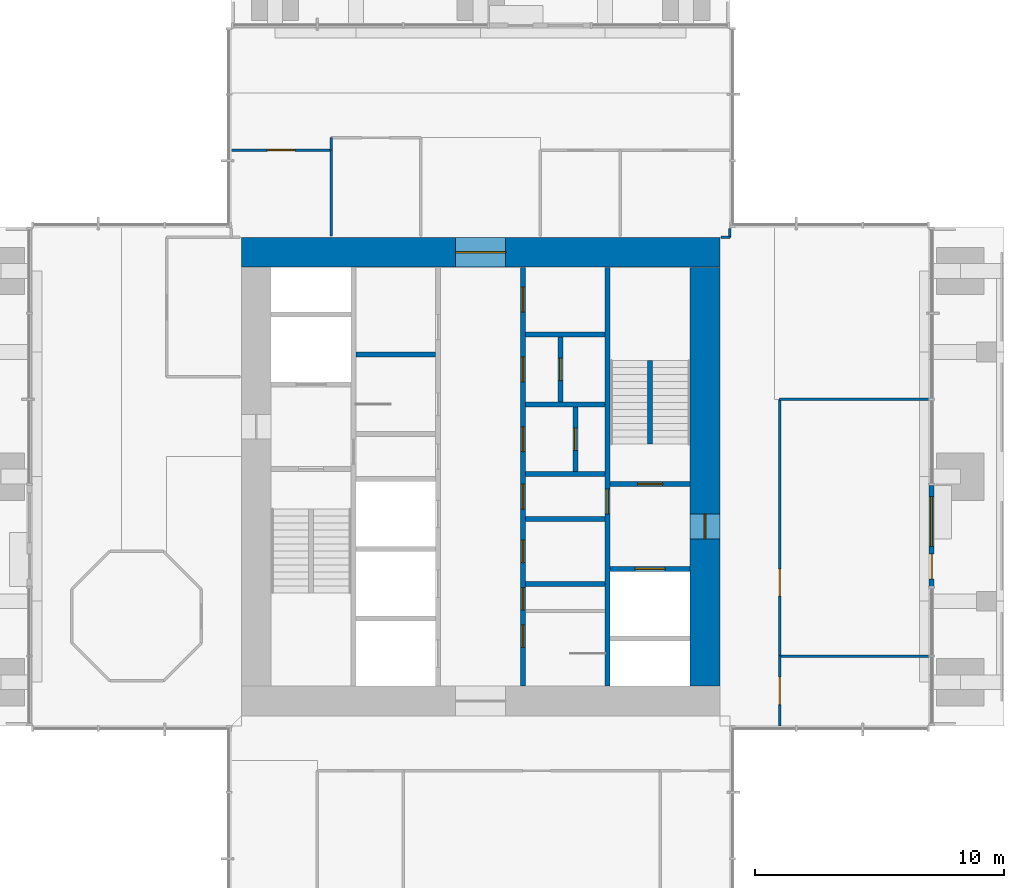
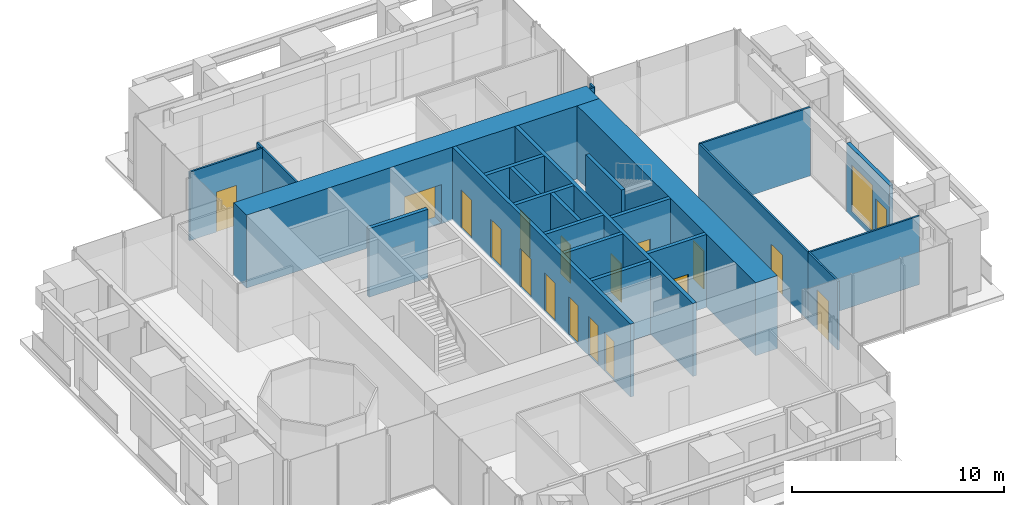
# One storey, part 8 of 12: 25 walls, 18 doors, 1 window, 19 openings.
"""IFC4 building model written with IfcOpenShell, lengths in metres."""

from ifc_helpers import new_model, si_unit, direction, frame, frame_2d, origin, place, context, subcontext, project, spatial, rectangle, extrude, material, layer, layer_set, type_object, element, fill, save


model = new_model("IFC4")

# Units and contexts
model_context = context("Model", 3, precision=1e-05, world=origin(), true_north=direction((0.0, 1.0)))
body_context = subcontext(model_context, "Body", "Model", "MODEL_VIEW")
ifc_project = project(units=[si_unit("LENGTHUNIT", "METRE"), si_unit("AREAUNIT", "SQUARE_METRE"), si_unit("VOLUMEUNIT", "CUBIC_METRE"), si_unit("PLANEANGLEUNIT", "RADIAN"), si_unit("MASSUNIT", "GRAM", prefix="KILO")], contexts=[model_context])

# Site, building, storey
site_placement = place(None, origin())
site = spatial("IfcSite", under=ifc_project, at=site_placement, CompositionType="ELEMENT")
building_placement = place(site_placement, origin())
building = spatial("IfcBuilding", under=site, at=building_placement, Name="Svetlomir Tower", CompositionType="ELEMENT")
storey_placement = place(building_placement, frame((0.0, 0.0, 269.199951171875)))
storey = spatial("IfcBuildingStorey", under=building, at=storey_placement, Name="L64", CompositionType="ELEMENT", Elevation=269.199951171875)

# Wall
ifc_material_1 = material(Name="Gypsum board on twin steel studs", Category="steel")
ifc_layer_1 = layer(ifc_material_1, 0.199951171875)
ifc_layer_set_1 = layer_set([ifc_layer_1], Name="Gypsum board on twin steel studs")
wall_type_1 = type_object("IfcWallType", Name="ACOUSTIC PARTITION 200", PredefinedType="PARTITIONING", material=ifc_layer_set_1)
wall_1_placement = place(storey_placement, frame((16.0, 25.89990234375, 0.0), z_axis=(0.0, 0.0, 1.0), x_axis=(1.0, 0.0, 0.0)))
element("IfcWall", 1, at=wall_1_placement, inside=storey, type_object=wall_type_1, Name="Core cell partition 16-19.2/25.9 L64", PredefinedType="PARTITIONING", context=body_context, shape_type="SweptSolid", body=[
    extrude(rectangle(XDim=3.199951171875, YDim=0.199951171875, at=frame_2d((1.60009765625, 0.0))), origin(), (0.0, 0.0, 1.0), 3.949951171875),
])

# Wall, openings, door, window
ifc_material_2 = material(Name="Bronze anodised aluminium glazed screen", Category="aluminium")
ifc_layer_2 = layer(ifc_material_2, 0.199951171875)
ifc_layer_set_2 = layer_set([ifc_layer_2], Name="Bronze anodised aluminium glazed screen")
wall_type_2 = type_object("IfcWallType", Name="BALCONY SCREEN WALL 200", PredefinedType="USERDEFINED", material=ifc_layer_set_2)
wall_2_placement = place(storey_placement, frame((39.10009765625, 16.60009765625, 0.0), z_axis=(0.0, 0.0, 1.0), x_axis=(0.0, 1.0, 0.0)))
wall_2 = element("IfcWall", 2, at=wall_2_placement, inside=storey, type_object=wall_type_2, Name="Balcony screen E", ObjectType="GLAZED SCREEN", PredefinedType="USERDEFINED", context=body_context, shape_type="SweptSolid", body=[
    extrude(rectangle(XDim=4.0498046875, YDim=0.199951171875, at=frame_2d((2.02490234375, 0.0))), origin(), (0.0, 0.0, 1.0), 3.949951171875),
])
opening_1_placement = place(wall_2_placement, frame((0.300048828125, 0.0, 0.0)))
opening_1 = element("IfcOpeningElement", 3, at=opening_1_placement, cuts=wall_2, Name="Opening BD", PredefinedType="OPENING", context=body_context, shape_type="SweptSolid", body=[
    extrude(rectangle(XDim=1.0, YDim=2.39990234375, at=frame_2d((0.5, 1.199951171875))), frame((0.0, 0.10986328125, 0.0), z_axis=(0.0, -1.0, 0.0), x_axis=(1.0, 0.0, 0.0)), (0.0, 0.0, 1.0), 0.219970703125),
])
opening_2_placement = place(wall_2_placement, frame((1.60009765625, 0.0, 0.300048828125)))
opening_2 = element("IfcOpeningElement", 4, at=opening_2_placement, cuts=wall_2, Name="Opening WS", PredefinedType="OPENING", context=body_context, shape_type="SweptSolid", body=[
    extrude(rectangle(XDim=2.0, YDim=2.699951171875, at=frame_2d((1.0, 1.35009765625))), frame((0.0, 0.10986328125, 0.0), z_axis=(0.0, -1.0, 0.0), x_axis=(1.0, 0.0, 0.0)), (0.0, 0.0, 1.0), 0.219970703125),
])
ifc_material_3 = material(Name="Bronze anodised aluminium glazed door", Category="aluminium")
door_type_1 = type_object("IfcDoorType", Name="BALCONY DOOR BD 1000x2400", OperationType="SINGLE_SWING_LEFT", PredefinedType="DOOR", material=ifc_material_3)
door_1_placement = place(opening_1_placement, origin())
door_1 = element("IfcDoor", 5, at=door_1_placement, inside=storey, type_object=door_type_1, Name="Balcony screen E door", OperationType="SINGLE_SWING_LEFT", OverallHeight=2.39990234375, OverallWidth=1.0, PredefinedType="DOOR", context=body_context, shape_type="SweptSolid", body=[
    extrude(rectangle(XDim=1.0, YDim=2.39990234375, at=frame_2d((0.5, 1.199951171875))), frame((0.0, 0.02490234375, 0.0), z_axis=(0.0, -1.0, 0.0), x_axis=(1.0, 0.0, 0.0)), (0.0, 0.0, 1.0), 0.050048828125),
])
fill(opening_1, door_1)
ifc_material_4 = material(Name="Bronze anodised aluminium window", Category="aluminium")
window_type = type_object("IfcWindowType", Name="SCREEN WINDOW WS 2000x2700", PartitioningType="SINGLE_PANEL", PredefinedType="WINDOW", material=ifc_material_4)
window_placement = place(opening_2_placement, origin())
window = element("IfcWindow", 6, at=window_placement, inside=storey, type_object=window_type, Name="Balcony screen E window 1", OverallHeight=2.699951171875, OverallWidth=2.0, PartitioningType="SINGLE_PANEL", PredefinedType="WINDOW", context=body_context, shape_type="SweptSolid", body=[
    extrude(rectangle(XDim=2.0, YDim=2.699951171875, at=frame_2d((1.0, 1.35009765625))), frame((0.0, 0.030029296875, 0.0), z_axis=(0.0, -1.0, 0.0), x_axis=(1.0, 0.0, 0.0)), (0.0, 0.0, 1.0), 0.06005859375),
])
fill(opening_2, window)

# Wall, openings, doors
ifc_material_5 = material(Name="Concrete C60/75", Category="concrete")
ifc_layer_3 = layer(ifc_material_5, 0.199951171875)
ifc_layer_set_3 = layer_set([ifc_layer_3], Name="Concrete C60/75")
wall_type_3 = type_object("IfcWallType", Name="CORE INNER WALL 200", PredefinedType="SHEAR", material=ifc_layer_set_3)
wall_3_placement = place(storey_placement, frame((22.699951171875, 12.60009765625, -0.050048828125), z_axis=(0.0, 0.0, 1.0), x_axis=(0.0, 1.0, 0.0)))
wall_3 = element("IfcWall", 7, at=wall_3_placement, inside=storey, type_object=wall_type_3, Name="Core inner wall 22.7 L64", PredefinedType="SHEAR", context=body_context, shape_type="SweptSolid", body=[
    extrude(rectangle(XDim=16.7998046875, YDim=0.199951171875, at=frame_2d((8.39990234375, 0.0))), origin(), (0.0, 0.0, 1.0), 4.2001953125),
])
opening_3_placement = place(wall_3_placement, frame((3.050048828125, 0.0, 0.050048828125)))
opening_3 = element("IfcOpeningElement", 8, at=opening_3_placement, cuts=wall_3, Name="Opening DW", PredefinedType="OPENING", context=body_context, shape_type="SweptSolid", body=[
    extrude(rectangle(XDim=0.89990234375, YDim=2.199951171875, at=frame_2d((0.449951171875, 1.10009765625))), frame((0.0, 0.10986328125, 0.0), z_axis=(0.0, -1.0, 0.0), x_axis=(1.0, 0.0, 0.0)), (0.0, 0.0, 1.0), 0.219970703125),
])
opening_4_placement = place(wall_3_placement, frame((7.10009765625, 0.0, 0.050048828125)))
opening_4 = element("IfcOpeningElement", 9, at=opening_4_placement, cuts=wall_3, Name="Opening DC", PredefinedType="OPENING", context=body_context, shape_type="SweptSolid", body=[
    extrude(rectangle(XDim=1.0, YDim=2.199951171875, at=frame_2d((0.5, 1.10009765625))), frame((0.0, 0.10986328125, 0.0), z_axis=(0.0, -1.0, 0.0), x_axis=(1.0, 0.0, 0.0)), (0.0, 0.0, 1.0), 0.219970703125),
])
opening_5_placement = place(wall_3_placement, frame((1.550048828125, 0.0, 0.050048828125)))
opening_5 = element("IfcOpeningElement", 10, at=opening_5_placement, cuts=wall_3, Name="Opening DW", PredefinedType="OPENING", context=body_context, shape_type="SweptSolid", body=[
    extrude(rectangle(XDim=0.89990234375, YDim=2.199951171875, at=frame_2d((0.449951171875, 1.10009765625))), frame((0.0, 0.10986328125, 0.0), z_axis=(0.0, -1.0, 0.0), x_axis=(1.0, 0.0, 0.0)), (0.0, 0.0, 1.0), 0.219970703125),
])
opening_6_placement = place(wall_3_placement, frame((4.949951171875, 0.0, 0.050048828125)))
opening_6 = element("IfcOpeningElement", 11, at=opening_6_placement, cuts=wall_3, Name="Opening DW", PredefinedType="OPENING", context=body_context, shape_type="SweptSolid", body=[
    extrude(rectangle(XDim=0.89990234375, YDim=2.199951171875, at=frame_2d((0.449951171875, 1.10009765625))), frame((0.0, 0.10986328125, 0.0), z_axis=(0.0, -1.0, 0.0), x_axis=(1.0, 0.0, 0.0)), (0.0, 0.0, 1.0), 0.219970703125),
])
opening_7_placement = place(wall_3_placement, frame((9.39990234375, 0.0, 0.050048828125)))
opening_7 = element("IfcOpeningElement", 12, at=opening_7_placement, cuts=wall_3, Name="Opening DC", PredefinedType="OPENING", context=body_context, shape_type="SweptSolid", body=[
    extrude(rectangle(XDim=1.0, YDim=2.199951171875, at=frame_2d((0.5, 1.10009765625))), frame((0.0, 0.10986328125, 0.0), z_axis=(0.0, -1.0, 0.0), x_axis=(1.0, 0.0, 0.0)), (0.0, 0.0, 1.0), 0.219970703125),
])
opening_8_placement = place(wall_3_placement, frame((12.199951171875, 0.0, 0.050048828125)))
opening_8 = element("IfcOpeningElement", 13, at=opening_8_placement, cuts=wall_3, Name="Opening DC", PredefinedType="OPENING", context=body_context, shape_type="SweptSolid", body=[
    extrude(rectangle(XDim=1.0, YDim=2.199951171875, at=frame_2d((0.5, 1.10009765625))), frame((0.0, 0.10986328125, 0.0), z_axis=(0.0, -1.0, 0.0), x_axis=(1.0, 0.0, 0.0)), (0.0, 0.0, 1.0), 0.219970703125),
])
opening_9_placement = place(wall_3_placement, frame((15.0, 0.0, 0.050048828125)))
opening_9 = element("IfcOpeningElement", 14, at=opening_9_placement, cuts=wall_3, Name="Opening DC", PredefinedType="OPENING", context=body_context, shape_type="SweptSolid", body=[
    extrude(rectangle(XDim=1.0, YDim=2.199951171875, at=frame_2d((0.5, 1.10009765625))), frame((0.0, 0.10986328125, 0.0), z_axis=(0.0, -1.0, 0.0), x_axis=(1.0, 0.0, 0.0)), (0.0, 0.0, 1.0), 0.219970703125),
])
ifc_material_6 = material(Name="Timber fire door", Category="wood")
door_type_2 = type_object("IfcDoorType", Name="DOOR DC 1000x2200", OperationType="SINGLE_SWING_LEFT", PredefinedType="DOOR", material=ifc_material_6)
door_2_placement = place(opening_4_placement, origin())
door_2 = element("IfcDoor", 15, at=door_2_placement, inside=storey, type_object=door_type_2, Name="Core corridor east lobby door L64", OperationType="SINGLE_SWING_LEFT", OverallHeight=2.199951171875, OverallWidth=1.0, PredefinedType="DOOR", context=body_context, shape_type="SweptSolid", body=[
    extrude(rectangle(XDim=1.0, YDim=2.199951171875, at=frame_2d((0.5, 1.10009765625))), frame((0.0, 0.02490234375, 0.0), z_axis=(0.0, -1.0, 0.0), x_axis=(1.0, 0.0, 0.0)), (0.0, 0.0, 1.0), 0.050048828125),
])
fill(opening_4, door_2)
door_3_placement = place(opening_7_placement, origin())
door_3 = element("IfcDoor", 16, at=door_3_placement, inside=storey, type_object=door_type_2, Name="Converted shaft BANK-E1 room door L64", OperationType="SINGLE_SWING_RIGHT", OverallHeight=2.199951171875, OverallWidth=1.0, PredefinedType="DOOR", context=body_context, shape_type="SweptSolid", body=[
    extrude(rectangle(XDim=1.0, YDim=2.199951171875, at=frame_2d((0.5, 1.10009765625))), frame((0.0, 0.02490234375, 0.0), z_axis=(0.0, -1.0, 0.0), x_axis=(1.0, 0.0, 0.0)), (0.0, 0.0, 1.0), 0.050048828125),
])
fill(opening_7, door_3)
door_4_placement = place(opening_8_placement, origin())
door_4 = element("IfcDoor", 17, at=door_4_placement, inside=storey, type_object=door_type_2, Name="Converted shaft BANK-E2 room door L64", OperationType="SINGLE_SWING_RIGHT", OverallHeight=2.199951171875, OverallWidth=1.0, PredefinedType="DOOR", context=body_context, shape_type="SweptSolid", body=[
    extrude(rectangle(XDim=1.0, YDim=2.199951171875, at=frame_2d((0.5, 1.10009765625))), frame((0.0, 0.02490234375, 0.0), z_axis=(0.0, -1.0, 0.0), x_axis=(1.0, 0.0, 0.0)), (0.0, 0.0, 1.0), 0.050048828125),
])
fill(opening_8, door_4)
door_5_placement = place(opening_9_placement, origin())
door_5 = element("IfcDoor", 18, at=door_5_placement, inside=storey, type_object=door_type_2, Name="Converted shaft BANK-E3 room door L64", OperationType="SINGLE_SWING_RIGHT", OverallHeight=2.199951171875, OverallWidth=1.0, PredefinedType="DOOR", context=body_context, shape_type="SweptSolid", body=[
    extrude(rectangle(XDim=1.0, YDim=2.199951171875, at=frame_2d((0.5, 1.10009765625))), frame((0.0, 0.02490234375, 0.0), z_axis=(0.0, -1.0, 0.0), x_axis=(1.0, 0.0, 0.0)), (0.0, 0.0, 1.0), 0.050048828125),
])
fill(opening_9, door_5)
ifc_material_7 = material(Name="Timber fire door", Category="wood")
door_type_3 = type_object("IfcDoorType", Name="DOOR DW 900x2200", OperationType="SINGLE_SWING_LEFT", PredefinedType="DOOR", material=ifc_material_7)
door_6_placement = place(opening_3_placement, origin())
door_6 = element("IfcDoor", 19, at=door_6_placement, inside=storey, type_object=door_type_3, Name="Shower and changing room door L64", OperationType="SINGLE_SWING_LEFT", OverallHeight=2.199951171875, OverallWidth=0.89990234375, PredefinedType="DOOR", context=body_context, shape_type="SweptSolid", body=[
    extrude(rectangle(XDim=0.89990234375, YDim=2.199951171875, at=frame_2d((0.449951171875, 1.10009765625))), frame((0.0, 0.02490234375, 0.0), z_axis=(0.0, -1.0, 0.0), x_axis=(1.0, 0.0, 0.0)), (0.0, 0.0, 1.0), 0.050048828125),
])
fill(opening_3, door_6)
door_7_placement = place(opening_5_placement, origin())
door_7 = element("IfcDoor", 20, at=door_7_placement, inside=storey, type_object=door_type_3, Name="Male WC door L64", OperationType="SINGLE_SWING_RIGHT", OverallHeight=2.199951171875, OverallWidth=0.89990234375, PredefinedType="DOOR", context=body_context, shape_type="SweptSolid", body=[
    extrude(rectangle(XDim=0.89990234375, YDim=2.199951171875, at=frame_2d((0.449951171875, 1.10009765625))), frame((0.0, 0.02490234375, 0.0), z_axis=(0.0, -1.0, 0.0), x_axis=(1.0, 0.0, 0.0)), (0.0, 0.0, 1.0), 0.050048828125),
])
fill(opening_5, door_7)
door_8_placement = place(opening_6_placement, origin())
door_8 = element("IfcDoor", 21, at=door_8_placement, inside=storey, type_object=door_type_3, Name="Comms room door L64", OperationType="SINGLE_SWING_LEFT", OverallHeight=2.199951171875, OverallWidth=0.89990234375, PredefinedType="DOOR", context=body_context, shape_type="SweptSolid", body=[
    extrude(rectangle(XDim=0.89990234375, YDim=2.199951171875, at=frame_2d((0.449951171875, 1.10009765625))), frame((0.0, 0.02490234375, 0.0), z_axis=(0.0, -1.0, 0.0), x_axis=(1.0, 0.0, 0.0)), (0.0, 0.0, 1.0), 0.050048828125),
])
fill(opening_6, door_8)

# Wall, opening, door
wall_4_placement = place(storey_placement, frame((26.10009765625, 12.60009765625, -0.050048828125), z_axis=(0.0, 0.0, 1.0), x_axis=(0.0, 1.0, 0.0)))
wall_4 = element("IfcWall", 22, at=wall_4_placement, inside=storey, type_object=wall_type_3, Name="Core inner wall 26.1 L64", PredefinedType="SHEAR", context=body_context, shape_type="SweptSolid", body=[
    extrude(rectangle(XDim=16.7998046875, YDim=0.199951171875, at=frame_2d((8.39990234375, 0.0))), origin(), (0.0, 0.0, 1.0), 4.2001953125),
])
opening_10_placement = place(wall_4_placement, frame((6.89990234375, 0.0, 0.050048828125)))
opening_10 = element("IfcOpeningElement", 23, at=opening_10_placement, cuts=wall_4, Name="Opening DF", PredefinedType="OPENING", context=body_context, shape_type="SweptSolid", body=[
    extrude(rectangle(XDim=1.0, YDim=2.199951171875, at=frame_2d((0.5, 1.10009765625))), frame((0.0, 0.10986328125, 0.0), z_axis=(0.0, -1.0, 0.0), x_axis=(1.0, 0.0, 0.0)), (0.0, 0.0, 1.0), 0.219970703125),
])
ifc_material_8 = material(Name="Steel fire door", Category="steel")
door_type_4 = type_object("IfcDoorType", Name="DOOR DF 1000x2200", OperationType="SINGLE_SWING_LEFT", PredefinedType="DOOR", material=ifc_material_8)
door_9_placement = place(opening_10_placement, origin())
door_9 = element("IfcDoor", 24, at=door_9_placement, inside=storey, type_object=door_type_4, Name="Core corridor east door L64", OperationType="SINGLE_SWING_LEFT", OverallHeight=2.199951171875, OverallWidth=1.0, PredefinedType="DOOR", context=body_context, shape_type="SweptSolid", body=[
    extrude(rectangle(XDim=1.0, YDim=2.199951171875, at=frame_2d((0.5, 1.10009765625))), frame((0.0, 0.02490234375, 0.0), z_axis=(0.0, -1.0, 0.0), x_axis=(1.0, 0.0, 0.0)), (0.0, 0.0, 1.0), 0.050048828125),
])
fill(opening_10, door_9)

# Walls
for number, where, z_axis, x_axis, name in (
    (25, (22.800048828125, 16.699951171875, -0.050048828125), (0.0, 0.0, 1.0), (1.0, 0.0, 0.0), "Core inner wall 22.8-26/16.7 L64"),
    (26, (22.800048828125, 19.300048828125, -0.050048828125), (0.0, 0.0, 1.0), (1.0, 0.0, 0.0), "Core inner wall 22.8-26/19.3 L64"),
    (27, (22.800048828125, 21.10009765625, -0.050048828125), (0.0, 0.0, 1.0), (1.0, 0.0, 0.0), "Core inner wall 22.8-26/21.1 L64"),
    (28, (22.800048828125, 23.89990234375, -0.050048828125), (0.0, 0.0, 1.0), (1.0, 0.0, 0.0), "Core inner wall 22.8-26/23.9 L64"),
    (29, (22.800048828125, 26.699951171875, -0.050048828125), (0.0, 0.0, 1.0), (1.0, 0.0, 0.0), "Core inner wall 22.8-26/26.7 L64"),
):
    element("IfcWall", number, at=place(storey_placement, frame(where, z_axis=z_axis, x_axis=x_axis)), inside=storey, type_object=wall_type_3, Name=name, PredefinedType="SHEAR", context=body_context, shape_type="SweptSolid", body=[
        extrude(rectangle(XDim=3.199951171875, YDim=0.199951171875, at=frame_2d((1.60009765625, 0.0))), origin(), (0.0, 0.0, 1.0), 4.2001953125),
    ])

# Wall, opening, door
wall_5_placement = place(storey_placement, frame((26.199951171875, 17.300048828125, -0.050048828125), z_axis=(0.0, 0.0, 1.0), x_axis=(1.0, 0.0, 0.0)))
wall_5 = element("IfcWall", 30, at=wall_5_placement, inside=storey, type_object=wall_type_3, Name="Core inner wall 26.2-29.4/17.3 L64", PredefinedType="SHEAR", context=body_context, shape_type="SweptSolid", body=[
    extrude(rectangle(XDim=3.199951171875, YDim=0.199951171875, at=frame_2d((1.60009765625, 0.0))), origin(), (0.0, 0.0, 1.0), 4.2001953125),
])
opening_11_placement = place(wall_5_placement, frame((1.0, 0.0, 0.050048828125)))
opening_11 = element("IfcOpeningElement", 31, at=opening_11_placement, cuts=wall_5, Name="Opening LD3", PredefinedType="OPENING", context=body_context, shape_type="SweptSolid", body=[
    extrude(rectangle(XDim=1.199951171875, YDim=2.199951171875, at=frame_2d((0.60009765625, 1.10009765625))), frame((0.0, 0.10986328125, 0.0), z_axis=(0.0, -1.0, 0.0), x_axis=(1.0, 0.0, 0.0)), (0.0, 0.0, 1.0), 0.219970703125),
])
ifc_material_9 = material(Name="Stainless steel fire-rated landing door", Category="steel")
door_type_5 = type_object("IfcDoorType", Name="FIREFIGHTING LIFT LANDING DOOR LD3 1200x2200", OperationType="DOUBLE_DOOR_SLIDING", PredefinedType="DOOR", material=ifc_material_9)
door_10_placement = place(opening_11_placement, origin())
door_10 = element("IfcDoor", 32, at=door_10_placement, inside=storey, type_object=door_type_5, Name="Landing door lift FL2 L64", OperationType="DOUBLE_DOOR_SLIDING", OverallHeight=2.199951171875, OverallWidth=1.199951171875, PredefinedType="DOOR", context=body_context, shape_type="SweptSolid", body=[
    extrude(rectangle(XDim=1.199951171875, YDim=2.199951171875, at=frame_2d((0.60009765625, 1.10009765625))), frame((0.0, 0.02490234375, 0.0), z_axis=(0.0, -1.0, 0.0), x_axis=(1.0, 0.0, 0.0)), (0.0, 0.0, 1.0), 0.050048828125),
])
fill(opening_11, door_10)

wall_6_placement = place(storey_placement, frame((26.199951171875, 20.699951171875, -0.050048828125), z_axis=(0.0, 0.0, 1.0), x_axis=(1.0, 0.0, 0.0)))
wall_6 = element("IfcWall", 33, at=wall_6_placement, inside=storey, type_object=wall_type_3, Name="Core inner wall 26.2-29.4/20.7 L64", PredefinedType="SHEAR", context=body_context, shape_type="SweptSolid", body=[
    extrude(rectangle(XDim=3.199951171875, YDim=0.199951171875, at=frame_2d((1.60009765625, 0.0))), origin(), (0.0, 0.0, 1.0), 4.2001953125),
])
opening_12_placement = place(wall_6_placement, frame((1.10009765625, 0.0, 0.050048828125)))
opening_12 = element("IfcOpeningElement", 34, at=opening_12_placement, cuts=wall_6, Name="Opening DF", PredefinedType="OPENING", context=body_context, shape_type="SweptSolid", body=[
    extrude(rectangle(XDim=1.0, YDim=2.199951171875, at=frame_2d((0.5, 1.10009765625))), frame((0.0, 0.10986328125, 0.0), z_axis=(0.0, -1.0, 0.0), x_axis=(1.0, 0.0, 0.0)), (0.0, 0.0, 1.0), 0.219970703125),
])
door_11_placement = place(opening_12_placement, origin())
door_11 = element("IfcDoor", 35, at=door_11_placement, inside=storey, type_object=door_type_4, Name="Stair S2 door L64", OperationType="SINGLE_SWING_LEFT", OverallHeight=2.199951171875, OverallWidth=1.0, PredefinedType="DOOR", context=body_context, shape_type="SweptSolid", body=[
    extrude(rectangle(XDim=1.0, YDim=2.199951171875, at=frame_2d((0.5, 1.10009765625))), frame((0.0, 0.02490234375, 0.0), z_axis=(0.0, -1.0, 0.0), x_axis=(1.0, 0.0, 0.0)), (0.0, 0.0, 1.0), 0.050048828125),
])
fill(opening_12, door_11)

wall_7_placement = place(storey_placement, frame((24.800048828125, 21.199951171875, -0.050048828125), z_axis=(0.0, 0.0, 1.0), x_axis=(0.0, 1.0, 0.0)))
wall_7 = element("IfcWall", 36, at=wall_7_placement, inside=storey, type_object=wall_type_3, Name="Core inner wall 24.8/21.2-23.8 L64", PredefinedType="SHEAR", context=body_context, shape_type="SweptSolid", body=[
    extrude(rectangle(XDim=2.60009765625, YDim=0.199951171875, at=frame_2d((1.300048828125, 0.0))), origin(), (0.0, 0.0, 1.0), 4.2001953125),
])
opening_13_placement = place(wall_7_placement, frame((0.85009765625, 0.0, 0.050048828125)))
opening_13 = element("IfcOpeningElement", 37, at=opening_13_placement, cuts=wall_7, Name="Opening DW", PredefinedType="OPENING", context=body_context, shape_type="SweptSolid", body=[
    extrude(rectangle(XDim=0.89990234375, YDim=2.199951171875, at=frame_2d((0.449951171875, 1.10009765625))), frame((0.0, 0.10986328125, 0.0), z_axis=(0.0, -1.0, 0.0), x_axis=(1.0, 0.0, 0.0)), (0.0, 0.0, 1.0), 0.219970703125),
])
door_12_placement = place(opening_13_placement, origin())
door_12 = element("IfcDoor", 38, at=door_12_placement, inside=storey, type_object=door_type_3, Name="Converted shaft BANK-E1 back room door L64", OperationType="SINGLE_SWING_LEFT", OverallHeight=2.199951171875, OverallWidth=0.89990234375, PredefinedType="DOOR", context=body_context, shape_type="SweptSolid", body=[
    extrude(rectangle(XDim=0.89990234375, YDim=2.199951171875, at=frame_2d((0.449951171875, 1.10009765625))), frame((0.0, 0.02490234375, 0.0), z_axis=(0.0, -1.0, 0.0), x_axis=(1.0, 0.0, 0.0)), (0.0, 0.0, 1.0), 0.050048828125),
])
fill(opening_13, door_12)

wall_8_placement = place(storey_placement, frame((24.199951171875, 24.0, -0.050048828125), z_axis=(0.0, 0.0, 1.0), x_axis=(0.0, 1.0, 0.0)))
wall_8 = element("IfcWall", 39, at=wall_8_placement, inside=storey, type_object=wall_type_3, Name="Core inner wall 24.2/24-26.6 L64", PredefinedType="SHEAR", context=body_context, shape_type="SweptSolid", body=[
    extrude(rectangle(XDim=2.60009765625, YDim=0.199951171875, at=frame_2d((1.300048828125, 0.0))), origin(), (0.0, 0.0, 1.0), 4.2001953125),
])
opening_14_placement = place(wall_8_placement, frame((0.85009765625, 0.0, 0.050048828125)))
opening_14 = element("IfcOpeningElement", 40, at=opening_14_placement, cuts=wall_8, Name="Opening DW", PredefinedType="OPENING", context=body_context, shape_type="SweptSolid", body=[
    extrude(rectangle(XDim=0.89990234375, YDim=2.199951171875, at=frame_2d((0.449951171875, 1.10009765625))), frame((0.0, 0.10986328125, 0.0), z_axis=(0.0, -1.0, 0.0), x_axis=(1.0, 0.0, 0.0)), (0.0, 0.0, 1.0), 0.219970703125),
])
door_13_placement = place(opening_14_placement, origin())
door_13 = element("IfcDoor", 41, at=door_13_placement, inside=storey, type_object=door_type_3, Name="Converted shaft BANK-E2 back room door L64", OperationType="SINGLE_SWING_LEFT", OverallHeight=2.199951171875, OverallWidth=0.89990234375, PredefinedType="DOOR", context=body_context, shape_type="SweptSolid", body=[
    extrude(rectangle(XDim=0.89990234375, YDim=2.199951171875, at=frame_2d((0.449951171875, 1.10009765625))), frame((0.0, 0.02490234375, 0.0), z_axis=(0.0, -1.0, 0.0), x_axis=(1.0, 0.0, 0.0)), (0.0, 0.0, 1.0), 0.050048828125),
])
fill(opening_14, door_13)

ifc_material_10 = material(Name="Concrete C60/75", Category="concrete")
ifc_layer_4 = layer(ifc_material_10, 1.199951171875)
ifc_layer_set_4 = layer_set([ifc_layer_4], Name="Concrete C60/75")
wall_type_4 = type_object("IfcWallType", Name="CORE WALL 1200", PredefinedType="SHEAR", material=ifc_layer_set_4)
wall_9_placement = place(storey_placement, frame((11.39990234375, 30.0, -0.050048828125), z_axis=(0.0, 0.0, 1.0), x_axis=(1.0, 0.0, 0.0)))
wall_9 = element("IfcWall", 42, at=wall_9_placement, inside=storey, type_object=wall_type_4, Name="Core wall north L64", PredefinedType="SHEAR", context=body_context, shape_type="SweptSolid", body=[
    extrude(rectangle(XDim=19.2001953125, YDim=1.199951171875, at=frame_2d((9.60009765625, 0.0))), origin(), (0.0, 0.0, 1.0), 4.2001953125),
])
opening_15_placement = place(wall_9_placement, frame((8.60009765625, 0.0, 0.050048828125)))
opening_15 = element("IfcOpeningElement", 43, at=opening_15_placement, cuts=wall_9, Name="Opening DL", PredefinedType="OPENING", context=body_context, shape_type="SweptSolid", body=[
    extrude(rectangle(XDim=2.0, YDim=2.199951171875, at=frame_2d((1.0, 1.10009765625))), frame((0.0, 0.60986328125, 0.0), z_axis=(0.0, -1.0, 0.0), x_axis=(1.0, 0.0, 0.0)), (0.0, 0.0, 1.0), 1.219970703125),
])
ifc_material_11 = material(Name="Steel fire door", Category="steel")
door_type_6 = type_object("IfcDoorType", Name="DOOR DL 2000x2200", OperationType="DOUBLE_DOOR_SINGLE_SWING", PredefinedType="DOOR", material=ifc_material_11)
door_14_placement = place(opening_15_placement, origin())
door_14 = element("IfcDoor", 44, at=door_14_placement, inside=storey, type_object=door_type_6, Name="Lift lobby north door L64", OperationType="DOUBLE_DOOR_SINGLE_SWING", OverallHeight=2.199951171875, OverallWidth=2.0, PredefinedType="DOOR", context=body_context, shape_type="SweptSolid", body=[
    extrude(rectangle(XDim=2.0, YDim=2.199951171875, at=frame_2d((1.0, 1.10009765625))), frame((0.0, 0.02490234375, 0.0), z_axis=(0.0, -1.0, 0.0), x_axis=(1.0, 0.0, 0.0)), (0.0, 0.0, 1.0), 0.050048828125),
])
fill(opening_15, door_14)

wall_10_placement = place(storey_placement, frame((30.0, 12.60009765625, -0.050048828125), z_axis=(0.0, 0.0, 1.0), x_axis=(0.0, 1.0, 0.0)))
wall_10 = element("IfcWall", 45, at=wall_10_placement, inside=storey, type_object=wall_type_4, Name="Core wall east L64", PredefinedType="SHEAR", context=body_context, shape_type="SweptSolid", body=[
    extrude(rectangle(XDim=16.7998046875, YDim=1.199951171875, at=frame_2d((8.39990234375, 0.0))), origin(), (0.0, 0.0, 1.0), 4.2001953125),
])
opening_16_placement = place(wall_10_placement, frame((5.89990234375, 0.0, 0.050048828125)))
opening_16 = element("IfcOpeningElement", 46, at=opening_16_placement, cuts=wall_10, Name="Opening DF", PredefinedType="OPENING", context=body_context, shape_type="SweptSolid", body=[
    extrude(rectangle(XDim=1.0, YDim=2.199951171875, at=frame_2d((0.5, 1.10009765625))), frame((0.0, 0.60986328125, 0.0), z_axis=(0.0, -1.0, 0.0), x_axis=(1.0, 0.0, 0.0)), (0.0, 0.0, 1.0), 1.219970703125),
])
door_15_placement = place(opening_16_placement, origin())
door_15 = element("IfcDoor", 47, at=door_15_placement, inside=storey, type_object=door_type_4, Name="Firefighting lobby east door L64", OperationType="SINGLE_SWING_LEFT", OverallHeight=2.199951171875, OverallWidth=1.0, PredefinedType="DOOR", context=body_context, shape_type="SweptSolid", body=[
    extrude(rectangle(XDim=1.0, YDim=2.199951171875, at=frame_2d((0.5, 1.10009765625))), frame((0.0, 0.02490234375, 0.0), z_axis=(0.0, -1.0, 0.0), x_axis=(1.0, 0.0, 0.0)), (0.0, 0.0, 1.0), 0.050048828125),
])
fill(opening_16, door_15)

ifc_material_12 = material(Name="Framed laminated glass partition", Category="glass")
ifc_layer_5 = layer(ifc_material_12, 0.10009765625)
ifc_layer_set_5 = layer_set([ifc_layer_5], Name="Framed laminated glass partition")
wall_type_5 = type_object("IfcWallType", Name="GLAZED PARTITION 100", PredefinedType="PARTITIONING", material=ifc_layer_set_5)
wall_11_placement = place(storey_placement, frame((11.0, 34.10009765625, 0.0), z_axis=(0.0, 0.0, 1.0), x_axis=(1.0, 0.0, 0.0)))
wall_11 = element("IfcWall", 48, at=wall_11_placement, inside=storey, type_object=wall_type_5, Name="Glazed partition L64", PredefinedType="PARTITIONING", context=body_context, shape_type="SweptSolid", body=[
    extrude(rectangle(XDim=4.0, YDim=0.10009765625, at=frame_2d((2.0, 0.0))), origin(), (0.0, 0.0, 1.0), 3.949951171875),
])
opening_17_placement = place(wall_11_placement, frame((1.449951171875, 0.0, 0.0)))
opening_17 = element("IfcOpeningElement", 49, at=opening_17_placement, cuts=wall_11, Name="Opening DE", PredefinedType="OPENING", context=body_context, shape_type="SweptSolid", body=[
    extrude(rectangle(XDim=1.10009765625, YDim=2.300048828125, at=frame_2d((0.550048828125, 1.14990234375))), frame((0.0, 0.06005859375, 0.0), z_axis=(0.0, -1.0, 0.0), x_axis=(1.0, 0.0, 0.0)), (0.0, 0.0, 1.0), 0.1201171875),
])
ifc_material_13 = material(Name="Walnut veneered timber door", Category="wood")
door_type_7 = type_object("IfcDoorType", Name="DOOR DE 1100x2300", OperationType="SINGLE_SWING_LEFT", PredefinedType="DOOR", material=ifc_material_13)
door_16_placement = place(opening_17_placement, origin())
door_16 = element("IfcDoor", 50, at=door_16_placement, inside=storey, type_object=door_type_7, Name="Executive pantry door L64", OperationType="SINGLE_SWING_RIGHT", OverallHeight=2.300048828125, OverallWidth=1.10009765625, PredefinedType="DOOR", context=body_context, shape_type="SweptSolid", body=[
    extrude(rectangle(XDim=1.10009765625, YDim=2.300048828125, at=frame_2d((0.550048828125, 1.14990234375))), frame((0.0, 0.02490234375, 0.0), z_axis=(0.0, -1.0, 0.0), x_axis=(1.0, 0.0, 0.0)), (0.0, 0.0, 1.0), 0.050048828125),
])
fill(opening_17, door_16)

# Walls
wall_12_placement = place(storey_placement, frame((15.0, 30.64990234375, 0.0), z_axis=(0.0, 0.0, 1.0), x_axis=(0.0, 1.0, 0.0)))
element("IfcWall", 51, at=wall_12_placement, inside=storey, type_object=wall_type_5, Name="Partition L64", PredefinedType="PARTITIONING", context=body_context, shape_type="SweptSolid", body=[
    extrude(rectangle(XDim=3.4501953125, YDim=0.10009765625, at=frame_2d((1.72509765625, 0.0))), origin(), (0.0, 0.0, 1.0), 3.949951171875),
])
wall_13_placement = place(storey_placement, frame((15.0, 34.10009765625, 0.0), z_axis=(0.0, 0.0, 1.0), x_axis=(0.0, 1.0, 0.0)))
element("IfcWall", 52, at=wall_13_placement, inside=storey, type_object=wall_type_5, Name="Glazed partition L64", PredefinedType="PARTITIONING", context=body_context, shape_type="SweptSolid", body=[
    extrude(rectangle(XDim=0.5, YDim=0.10009765625, at=frame_2d((0.25, 0.0))), origin(), (0.0, 0.0, 1.0), 3.949951171875),
])
wall_14_placement = place(storey_placement, frame((30.64990234375, 30.60009765625, 0.0), z_axis=(0.0, 0.0, 1.0), x_axis=(1.0, 0.0, 0.0)))
element("IfcWall", 53, at=wall_14_placement, inside=storey, type_object=wall_type_5, Name="Partition L64", PredefinedType="PARTITIONING", context=body_context, shape_type="SweptSolid", body=[
    extrude(rectangle(XDim=0.35009765625, YDim=0.10009765625, at=frame_2d((0.175048828125, 0.0))), origin(), (0.0, 0.0, 1.0), 3.949951171875),
])
wall_15_placement = place(storey_placement, frame((31.0, 30.60009765625, 0.0), z_axis=(0.0, 0.0, 1.0), x_axis=(0.0, 1.0, 0.0)))
element("IfcWall", 54, at=wall_15_placement, inside=storey, type_object=wall_type_5, Name="Partition L64", PredefinedType="PARTITIONING", context=body_context, shape_type="SweptSolid", body=[
    extrude(rectangle(XDim=0.349853515625, YDim=0.10009765625, at=frame_2d((0.1748046875, 0.0))), origin(), (0.0, 0.0, 1.0), 3.949951171875),
])

# Wall, opening, door
wall_16_placement = place(storey_placement, frame((33.0, 11.0, 0.0), z_axis=(0.0, 0.0, 1.0), x_axis=(0.0, 1.0, 0.0)))
wall_16 = element("IfcWall", 55, at=wall_16_placement, inside=storey, type_object=wall_type_5, Name="Partition L64", PredefinedType="PARTITIONING", context=body_context, shape_type="SweptSolid", body=[
    extrude(rectangle(XDim=2.800048828125, YDim=0.10009765625, at=frame_2d((1.39990234375, 0.0))), origin(), (0.0, 0.0, 1.0), 3.949951171875),
])
opening_18_placement = place(wall_16_placement, frame((0.85009765625, 0.0, 0.0)))
opening_18 = element("IfcOpeningElement", 56, at=opening_18_placement, cuts=wall_16, Name="Opening DE", PredefinedType="OPENING", context=body_context, shape_type="SweptSolid", body=[
    extrude(rectangle(XDim=1.10009765625, YDim=2.300048828125, at=frame_2d((0.550048828125, 1.14990234375))), frame((0.0, 0.06005859375, 0.0), z_axis=(0.0, -1.0, 0.0), x_axis=(1.0, 0.0, 0.0)), (0.0, 0.0, 1.0), 0.1201171875),
])
door_17_placement = place(opening_18_placement, origin())
door_17 = element("IfcDoor", 57, at=door_17_placement, inside=storey, type_object=door_type_7, Name="Executive office - Deputy CEO door L64", OperationType="SINGLE_SWING_RIGHT", OverallHeight=2.300048828125, OverallWidth=1.10009765625, PredefinedType="DOOR", context=body_context, shape_type="SweptSolid", body=[
    extrude(rectangle(XDim=1.10009765625, YDim=2.300048828125, at=frame_2d((0.550048828125, 1.14990234375))), frame((0.0, 0.02490234375, 0.0), z_axis=(0.0, -1.0, 0.0), x_axis=(1.0, 0.0, 0.0)), (0.0, 0.0, 1.0), 0.050048828125),
])
fill(opening_18, door_17)

wall_17_placement = place(storey_placement, frame((33.0, 13.800048828125, 0.0), z_axis=(0.0, 0.0, 1.0), x_axis=(0.0, 1.0, 0.0)))
wall_17 = element("IfcWall", 58, at=wall_17_placement, inside=storey, type_object=wall_type_5, Name="Glazed partition L64", PredefinedType="PARTITIONING", context=body_context, shape_type="SweptSolid", body=[
    extrude(rectangle(XDim=10.300048828125, YDim=0.10009765625, at=frame_2d((5.14990234375, 0.0))), origin(), (0.0, 0.0, 1.0), 3.949951171875),
])
opening_19_placement = place(wall_17_placement, frame((2.39990234375, 0.0, 0.0)))
opening_19 = element("IfcOpeningElement", 59, at=opening_19_placement, cuts=wall_17, Name="Opening DE", PredefinedType="OPENING", context=body_context, shape_type="SweptSolid", body=[
    extrude(rectangle(XDim=1.10009765625, YDim=2.300048828125, at=frame_2d((0.550048828125, 1.14990234375))), frame((0.0, 0.06005859375, 0.0), z_axis=(0.0, -1.0, 0.0), x_axis=(1.0, 0.0, 0.0)), (0.0, 0.0, 1.0), 0.1201171875),
])
door_18_placement = place(opening_19_placement, origin())
door_18 = element("IfcDoor", 60, at=door_18_placement, inside=storey, type_object=door_type_7, Name="Executive lounge door L64", OperationType="SINGLE_SWING_LEFT", OverallHeight=2.300048828125, OverallWidth=1.10009765625, PredefinedType="DOOR", context=body_context, shape_type="SweptSolid", body=[
    extrude(rectangle(XDim=1.10009765625, YDim=2.300048828125, at=frame_2d((0.550048828125, 1.14990234375))), frame((0.0, 0.02490234375, 0.0), z_axis=(0.0, -1.0, 0.0), x_axis=(1.0, 0.0, 0.0)), (0.0, 0.0, 1.0), 0.050048828125),
])
fill(opening_19, door_18)

# Walls
for number, where, z_axis, x_axis, name in (
    (61, (33.0, 13.800048828125, 0.0), (0.0, 0.0, 1.0), (1.0, 0.0, 0.0), "Partition L64"),
    (62, (33.0, 24.10009765625, 0.0), (0.0, 0.0, 1.0), (1.0, 0.0, 0.0), "Glazed partition L64"),
):
    element("IfcWall", number, at=place(storey_placement, frame(where, z_axis=z_axis, x_axis=x_axis)), inside=storey, type_object=wall_type_5, Name=name, PredefinedType="PARTITIONING", context=body_context, shape_type="SweptSolid", body=[
        extrude(rectangle(XDim=6.0, YDim=0.10009765625, at=frame_2d((3.0, 0.0))), origin(), (0.0, 0.0, 1.0), 3.949951171875),
    ])
ifc_material_14 = material(Name="Concrete C60/75", Category="concrete")
ifc_layer_6 = layer(ifc_material_14, 0.199951171875)
ifc_layer_set_6 = layer_set([ifc_layer_6], Name="Concrete C60/75")
wall_type_6 = type_object("IfcWallType", Name="STAIR SPINE WALL 200", PredefinedType="PARTITIONING", material=ifc_layer_set_6)
wall_18_placement = place(storey_placement, frame((27.800048828125, 22.300048828125, 0.0), z_axis=(0.0, 0.0, 1.0), x_axis=(0.0, 1.0, 0.0)))
element("IfcWall", 63, at=wall_18_placement, inside=storey, type_object=wall_type_6, Name="Stair S2 spine wall L64", PredefinedType="PARTITIONING", context=body_context, shape_type="SweptSolid", body=[
    extrude(rectangle(XDim=3.35986328125, YDim=0.199951171875, at=frame_2d((1.679931640625, 0.0))), origin(), (0.0, 0.0, 1.0), 4.199951171875),
])

save(model, "model.ifc")
